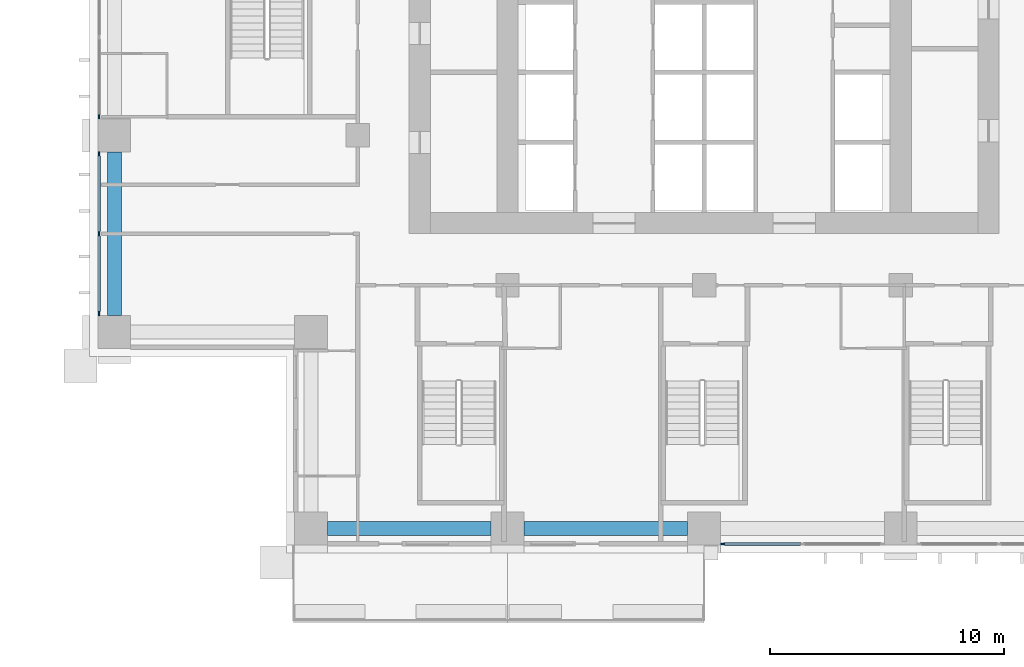
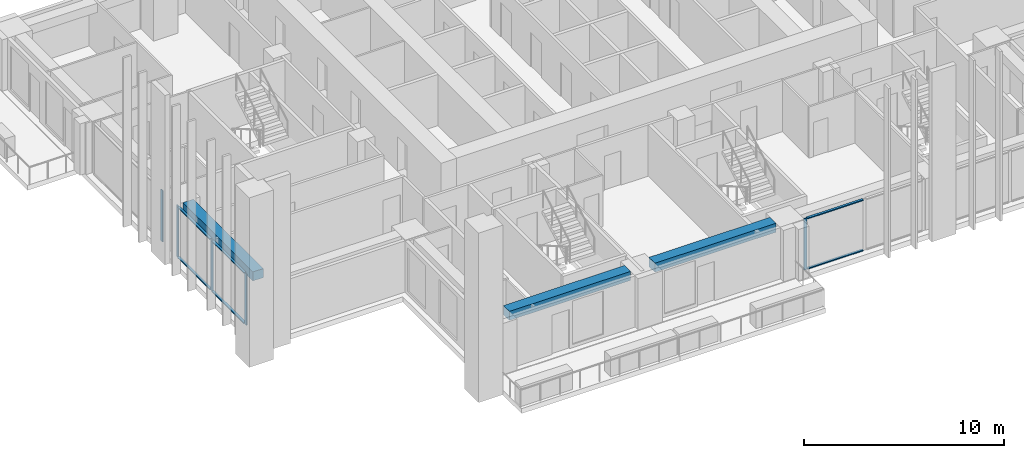
# One storey, part 2 of 17: 11 members, 3 beams, 3 elements without a shape of their own.
"""IFC4 building model written with IfcOpenShell, lengths in metres."""

from ifc_helpers import new_model, si_unit, direction, frame, origin, origin_2d, place, context, subcontext, project, spatial, rectangle, extrude, material, material_profile, profile_set, type_object, element, aggregate, save


model = new_model("IFC4")

# Units and contexts
model_context = context("Model", 3, precision=1e-05, world=origin(), true_north=direction((0.0, 1.0)))
body_context = subcontext(model_context, "Body", "Model", "MODEL_VIEW")
ifc_project = project(units=[si_unit("LENGTHUNIT", "METRE"), si_unit("AREAUNIT", "SQUARE_METRE"), si_unit("VOLUMEUNIT", "CUBIC_METRE"), si_unit("PLANEANGLEUNIT", "RADIAN"), si_unit("MASSUNIT", "GRAM", prefix="KILO")], contexts=[model_context])

# Site, building, storey
site_placement = place(None, origin())
site = spatial("IfcSite", under=ifc_project, at=site_placement, CompositionType="ELEMENT")
building_placement = place(site_placement, origin())
building = spatial("IfcBuilding", under=site, at=building_placement, Name="Vermilion Ogive Tower", CompositionType="ELEMENT")
storey_placement = place(building_placement, frame((0.0, 0.0, 37.949951171875)))
storey = spatial("IfcBuildingStorey", under=building, at=storey_placement, Name="L07", CompositionType="ELEMENT", Elevation=37.949951171875)

# Curtain wall, member
ifc_material_1 = material(Name="Low-iron laminated glazing in aluminium frame", Category="aluminium")
curtain_wall_type = type_object("IfcCurtainWallType", Name="Curtain wall CW7", PredefinedType="NOTDEFINED", material=ifc_material_1)
curtain_wall_1_placement = place(storey_placement, origin())
curtain_wall_1 = element("IfcCurtainWall", 1, at=curtain_wall_1_placement, inside=storey, type_object=curtain_wall_type, Name="Glazed skin S3", PredefinedType="NOTDEFINED")
ifc_material_2 = material(Name="Aluminium mullion", Category="aluminium")
ifc_material_profile_1 = material_profile(ifc_material_2, rectangle(XDim=0.06005859375, YDim=0.179931640625, at=origin_2d()), Name="AL 60x180")
ifc_profile_set_1 = profile_set([ifc_material_profile_1], Name="Aluminium mullion")
member_type_1 = type_object("IfcMemberType", Name="CW7 mullion 60x180", PredefinedType="MULLION", material=ifc_profile_set_1)
member_1_placement = place(storey_placement, frame((0.7900390625, -21.64990234375, 0.0), z_axis=(0.0, 0.0, 1.0), x_axis=(0.0, 1.0, 0.0)))
member_1 = element("IfcMember", 2, at=member_1_placement, type_object=member_type_1, Name="CW7-S3 mullion 1", PredefinedType="MULLION", context=body_context, shape_type="SweptSolid", body=[
    extrude(rectangle(XDim=0.06005859375, YDim=0.179931640625, at=origin_2d()), origin(), (0.0, 0.0, 1.0), 3.130126953125),
])

curtain_wall_2_placement = place(storey_placement, origin())
curtain_wall_2 = element("IfcCurtainWall", 3, at=curtain_wall_2_placement, inside=storey, type_object=curtain_wall_type, Name="Glazed skin W2", PredefinedType="NOTDEFINED")
member_2_placement = place(storey_placement, frame((-25.85009765625, -3.409912109375, 0.0), z_axis=(0.0, 0.0, 1.0), x_axis=(1.0, 0.0, 0.0)))
member_2 = element("IfcMember", 4, at=member_2_placement, type_object=member_type_1, Name="CW7-W2 mullion 3", PredefinedType="MULLION", context=body_context, shape_type="SweptSolid", body=[
    extrude(rectangle(XDim=0.06005859375, YDim=0.179931640625, at=origin_2d()), origin(), (0.0, 0.0, 1.0), 3.130126953125),
])
aggregate(curtain_wall_2, [member_2])

# Curtain wall, members
curtain_wall_3_placement = place(storey_placement, origin())
curtain_wall_3 = element("IfcCurtainWall", 5, at=curtain_wall_3_placement, inside=storey, type_object=curtain_wall_type, Name="Glazed skin W3", PredefinedType="NOTDEFINED")
member_3_placement = place(storey_placement, frame((-25.85009765625, -4.989990234375, 0.0), z_axis=(0.0, 0.0, 1.0), x_axis=(1.0, 0.0, 0.0)))
member_3 = element("IfcMember", 6, at=member_3_placement, type_object=member_type_1, Name="CW7-W3 mullion 1", PredefinedType="MULLION", context=body_context, shape_type="SweptSolid", body=[
    extrude(rectangle(XDim=0.06005859375, YDim=0.179931640625, at=origin_2d()), origin(), (0.0, 0.0, 1.0), 3.130126953125),
])
member_4_placement = place(storey_placement, frame((-25.85009765625, -8.39990234375, 0.0), z_axis=(0.0, 0.0, 1.0), x_axis=(1.0, 0.0, 0.0)))
member_4 = element("IfcMember", 7, at=member_4_placement, type_object=member_type_1, Name="CW7-W3 mullion 2", PredefinedType="MULLION", context=body_context, shape_type="SweptSolid", body=[
    extrude(rectangle(XDim=0.06005859375, YDim=0.179931640625, at=origin_2d()), origin(), (0.0, 0.0, 1.0), 3.130126953125),
])
member_5_placement = place(storey_placement, frame((-25.85009765625, -11.81005859375, 0.0), z_axis=(0.0, 0.0, 1.0), x_axis=(1.0, 0.0, 0.0)))
member_5 = element("IfcMember", 8, at=member_5_placement, type_object=member_type_1, Name="CW7-W3 mullion 3", PredefinedType="MULLION", context=body_context, shape_type="SweptSolid", body=[
    extrude(rectangle(XDim=0.06005859375, YDim=0.179931640625, at=origin_2d()), origin(), (0.0, 0.0, 1.0), 3.130126953125),
])

# Member
ifc_material_3 = material(Name="Aluminium transom", Category="aluminium")
ifc_material_profile_2 = material_profile(ifc_material_3, rectangle(XDim=0.139892578125, YDim=0.06005859375, at=origin_2d()), Name="AL 60x140")
ifc_profile_set_2 = profile_set([ifc_material_profile_2], Name="Aluminium transom")
member_type_2 = type_object("IfcMemberType", Name="CW7 transom 60x140", PredefinedType="USERDEFINED", material=ifc_profile_set_2)
member_6_placement = place(storey_placement, frame((0.8798828125, -21.64990234375, 0.030029296875), z_axis=(1.0, 0.0, 0.0), x_axis=(0.0, 1.0, 0.0)))
member_6 = element("IfcMember", 9, at=member_6_placement, type_object=member_type_2, Name="CW7-S3 transom 1.1", ObjectType="TRANSOM", PredefinedType="USERDEFINED", context=body_context, shape_type="SweptSolid", body=[
    extrude(rectangle(XDim=0.139892578125, YDim=0.06005859375, at=origin_2d()), origin(), (0.0, 0.0, 1.0), 3.230224609375),
])

member_7_placement = place(storey_placement, frame((0.8798828125, -21.64990234375, 3.10009765625), z_axis=(1.0, 0.0, 0.0), x_axis=(0.0, 1.0, 0.0)))
member_7 = element("IfcMember", 10, at=member_7_placement, type_object=member_type_2, Name="CW7-S3 transom 1.2", ObjectType="TRANSOM", PredefinedType="USERDEFINED", context=body_context, shape_type="SweptSolid", body=[
    extrude(rectangle(XDim=0.139892578125, YDim=0.06005859375, at=origin_2d()), origin(), (0.0, 0.0, 1.0), 3.230224609375),
])

aggregate(curtain_wall_1, [member_1, member_6, member_7])

member_8_placement = place(storey_placement, frame((-25.85009765625, -5.080078125, 0.030029296875), z_axis=(0.0, -1.0, 0.0), x_axis=(1.0, 0.0, 0.0)))
member_8 = element("IfcMember", 11, at=member_8_placement, type_object=member_type_2, Name="CW7-W3 transom 1.1", ObjectType="TRANSOM", PredefinedType="USERDEFINED", context=body_context, shape_type="SweptSolid", body=[
    extrude(rectangle(XDim=0.139892578125, YDim=0.06005859375, at=origin_2d()), origin(), (0.0, 0.0, 1.0), 3.22998046875),
])

member_9_placement = place(storey_placement, frame((-25.85009765625, -5.080078125, 3.10009765625), z_axis=(0.0, -1.0, 0.0), x_axis=(1.0, 0.0, 0.0)))
member_9 = element("IfcMember", 12, at=member_9_placement, type_object=member_type_2, Name="CW7-W3 transom 1.2", ObjectType="TRANSOM", PredefinedType="USERDEFINED", context=body_context, shape_type="SweptSolid", body=[
    extrude(rectangle(XDim=0.139892578125, YDim=0.06005859375, at=origin_2d()), origin(), (0.0, 0.0, 1.0), 3.22998046875),
])

member_10_placement = place(storey_placement, frame((-25.85009765625, -8.489990234375, 0.030029296875), z_axis=(0.0, -1.0, 0.0), x_axis=(1.0, 0.0, 0.0)))
member_10 = element("IfcMember", 13, at=member_10_placement, type_object=member_type_2, Name="CW7-W3 transom 2.1", ObjectType="TRANSOM", PredefinedType="USERDEFINED", context=body_context, shape_type="SweptSolid", body=[
    extrude(rectangle(XDim=0.139892578125, YDim=0.06005859375, at=origin_2d()), origin(), (0.0, 0.0, 1.0), 3.22998046875),
])

member_11_placement = place(storey_placement, frame((-25.85009765625, -8.489990234375, 3.10009765625), z_axis=(0.0, -1.0, 0.0), x_axis=(1.0, 0.0, 0.0)))
member_11 = element("IfcMember", 14, at=member_11_placement, type_object=member_type_2, Name="CW7-W3 transom 2.2", ObjectType="TRANSOM", PredefinedType="USERDEFINED", context=body_context, shape_type="SweptSolid", body=[
    extrude(rectangle(XDim=0.139892578125, YDim=0.06005859375, at=origin_2d()), origin(), (0.0, 0.0, 1.0), 3.22998046875),
])

aggregate(curtain_wall_3, [member_3, member_4, member_5, member_8, member_9, member_10, member_11])

# Beams
ifc_material_4 = material(Name="Concrete B45", Category="concrete")
ifc_material_profile_3 = material_profile(ifc_material_4, rectangle(XDim=0.60009765625, YDim=0.550048828125, at=origin_2d()), Name="600 x 550")
ifc_profile_set_3 = profile_set([ifc_material_profile_3], Name="Concrete B45")
beam_type = type_object("IfcBeamType", Name="Edge beam 600 x 550 B45", PredefinedType="BEAM", material=ifc_profile_set_3)
for number, where, z_axis, x_axis, name in (
    (15, (-16.10009765625, -21.0, 2.85498046875), (1.0, 0.0, 0.0), (0.0, 1.0, 0.0), "L07-EB-1"),
    (16, (-7.699951171875, -21.0, 2.85498046875), (1.0, 0.0, 0.0), (0.0, 1.0, 0.0), "L07-EB-2"),
    (17, (-25.199951171875, -4.89990234375, 2.85498046875), (0.0, -1.0, 0.0), (1.0, 0.0, 0.0), "L07-EB-16"),
):
    element("IfcBeam", number, at=place(storey_placement, frame(where, z_axis=z_axis, x_axis=x_axis)), inside=storey, type_object=beam_type, Name=name, PredefinedType="BEAM", context=body_context, shape_type="SweptSolid", body=[
        extrude(rectangle(XDim=0.60009765625, YDim=0.550048828125, at=origin_2d()), origin(), (0.0, 0.0, 1.0), 7.0),
    ])

save(model, "model.ifc")
